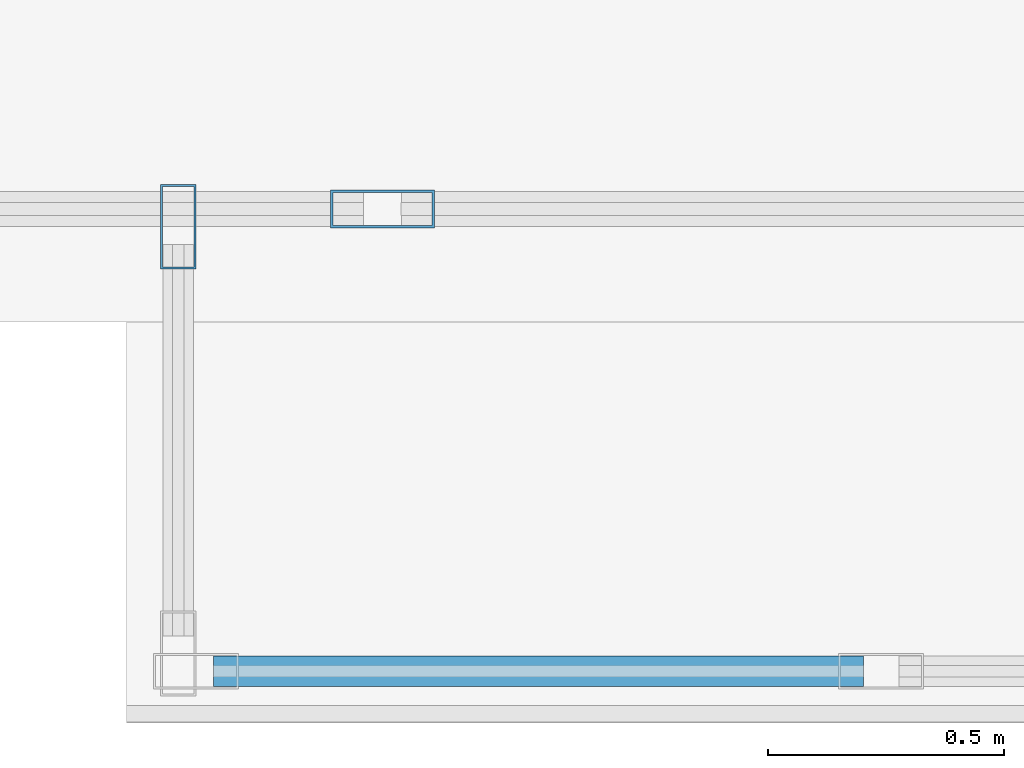
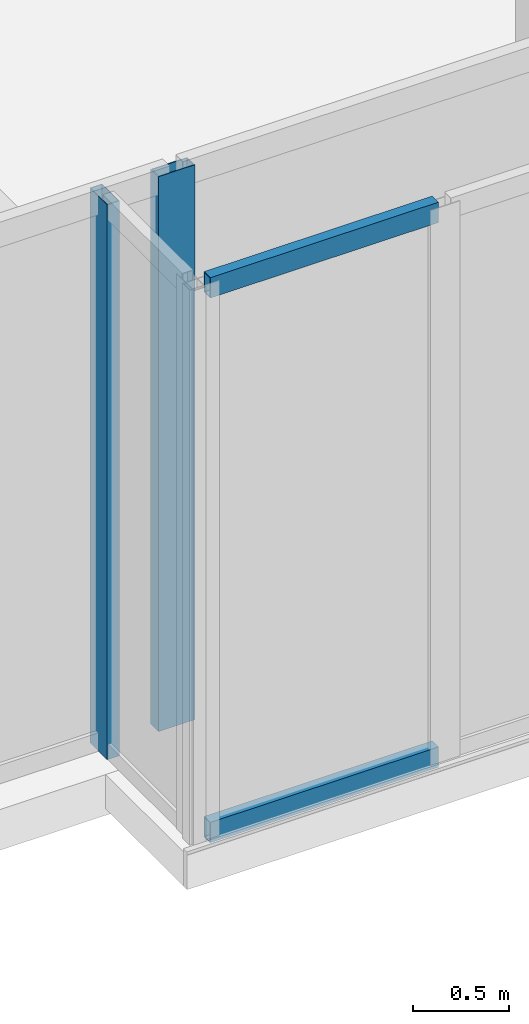
# One storey, part 5 of 28: 4 members, 3 elements without a shape of their own.
"""IFC4 building model written with IfcOpenShell, lengths in metres."""

from ifc_helpers import new_model, si_unit, direction, frame, origin, origin_with_axes, origin_2d, place, context, subcontext, project, spatial, hollow_rectangle, extrude, source, transform, mapped, material, layer, layer_set, material_profile, profile_set, type_object, element, aggregate, save


model = new_model("IFC4")

# Units and contexts
model_context = context("Model", 3, precision=1e-05, world=origin(), true_north=direction((0.0, 1.0)))
body_context = subcontext(model_context, "Body", "Model", "MODEL_VIEW")
ifc_project = project(units=[si_unit("LENGTHUNIT", "METRE"), si_unit("AREAUNIT", "SQUARE_METRE"), si_unit("VOLUMEUNIT", "CUBIC_METRE"), si_unit("PLANEANGLEUNIT", "RADIAN"), si_unit("MASSUNIT", "GRAM", prefix="KILO")], contexts=[model_context])

# Site, building, storey
site_placement = place(None, origin())
site = spatial("IfcSite", under=ifc_project, at=site_placement, CompositionType="ELEMENT")
building_placement = place(site_placement, origin())
building = spatial("IfcBuilding", under=site, at=building_placement, Name="Kolvaren Waterfront Exchange", CompositionType="ELEMENT")
storey_placement = place(building_placement, frame((0.0, 0.0, 114.5)))
storey = spatial("IfcBuildingStorey", under=building, at=storey_placement, Name="L29", CompositionType="ELEMENT", Elevation=114.5)

# Curtain wall, member
ifc_material_1 = material(Name="Anodised bronze aluminium 6063-T6", Category="aluminium")
ifc_layer_1 = layer(ifc_material_1, 0.219970703125, Name="Anodised bronze aluminium 6063-T6")
ifc_layer_set_1 = layer_set([ifc_layer_1], Name="Anodised bronze aluminium 6063-T6")
curtain_wall_type_1 = type_object("IfcCurtainWallType", Name="ARC-CW-SYS3", PredefinedType="USERDEFINED", material=ifc_layer_set_1)
curtain_wall_1_placement = place(storey_placement, origin())
curtain_wall_1 = element("IfcCurtainWall", 1, at=curtain_wall_1_placement, inside=storey, type_object=curtain_wall_type_1, Name="L29 stick curtain wall CW3 (CW-L29-BOX-W)", ObjectType="STICK CURTAIN WALL", PredefinedType="USERDEFINED")
ifc_material_profile_1 = material_profile(ifc_material_1, hollow_rectangle(XDim=0.074951171875, YDim=0.179931640625, WallThickness=0.00439453125, at=origin_2d()), Name="ALU-MUL-180x75x4.5")
ifc_profile_set_1 = profile_set([ifc_material_profile_1], Name="Anodised bronze aluminium 6063-T6")
member_type_1 = type_object("IfcMemberType", Name="ARC-CWM-180", PredefinedType="MULLION", material=ifc_profile_set_1)
shared_shape_1 = source(origin_with_axes(), body_context, "Body", "SweptSolid", [
    extrude(hollow_rectangle(XDim=0.074951171875, YDim=0.179931640625, WallThickness=0.00439453125, at=origin_2d()), origin(), (0.0, 0.0, 1.0), 3.5400390625),
])
member_1_placement = place(storey_placement, frame((32.409912109375, 3.802490234375, 0.0), z_axis=(0.0, 0.0, 1.0), x_axis=(1.0, 0.0, 0.0)))
member_1 = element("IfcMember", 2, at=member_1_placement, type_object=member_type_1, Name="CW3 mullion 1", PredefinedType="MULLION", context=body_context, shape_type="MappedRepresentation", body=[
    mapped(shared_shape_1, transform((0.0, 0.0, 0.0), x_axis=(1.0, 0.0, 0.0), y_axis=(0.0, 1.0, 0.0), z_axis=(0.0, 0.0, 1.0), scale=1.0)),
])
aggregate(curtain_wall_1, [member_1])

# Curtain wall, members
curtain_wall_2_placement = place(storey_placement, origin())
curtain_wall_2 = element("IfcCurtainWall", 3, at=curtain_wall_2_placement, inside=storey, type_object=curtain_wall_type_1, Name="L29 stick curtain wall CW3 (CW-L29-BOX)", ObjectType="STICK CURTAIN WALL", PredefinedType="USERDEFINED")
ifc_material_profile_2 = material_profile(ifc_material_1, hollow_rectangle(XDim=0.06494140625, YDim=0.1298828125, WallThickness=0.00390625, at=origin_2d()), Name="ALU-TRN-130x65x4")
ifc_profile_set_2 = profile_set([ifc_material_profile_2], Name="Anodised bronze aluminium 6063-T6")
member_type_2 = type_object("IfcMemberType", Name="ARC-CWT-130", PredefinedType="USERDEFINED", material=ifc_profile_set_2)
shared_shape_2 = source(origin_with_axes(), body_context, "Body", "SweptSolid", [
    extrude(hollow_rectangle(XDim=0.06494140625, YDim=0.1298828125, WallThickness=0.00390625, at=origin_2d()), origin(), (0.0, 0.0, 1.0), 1.37744140625),
])
member_2_placement = place(storey_placement, frame((32.485107421875, 2.860107421875, 0.032470703125), z_axis=(1.0, 0.0, 0.0), x_axis=(0.0, 1.0, 0.0)))
member_2 = element("IfcMember", 4, at=member_2_placement, type_object=member_type_2, Name="CW3 transom 1.1", ObjectType="TRANSOM", PredefinedType="USERDEFINED", context=body_context, shape_type="MappedRepresentation", body=[
    mapped(shared_shape_2, transform((0.0, 0.0, 0.0), x_axis=(1.0, 0.0, 0.0), y_axis=(0.0, 1.0, 0.0), z_axis=(0.0, 0.0, 1.0), scale=1.0)),
])
member_3_placement = place(storey_placement, frame((32.485107421875, 2.860107421875, 3.507568359375), z_axis=(1.0, 0.0, 0.0), x_axis=(0.0, 1.0, 0.0)))
member_3 = element("IfcMember", 5, at=member_3_placement, type_object=member_type_2, Name="CW3 transom 1.2", ObjectType="TRANSOM", PredefinedType="USERDEFINED", context=body_context, shape_type="MappedRepresentation", body=[
    mapped(shared_shape_2, transform((0.0, 0.0, 0.0), x_axis=(1.0, 0.0, 0.0), y_axis=(0.0, 1.0, 0.0), z_axis=(0.0, 0.0, 1.0), scale=1.0)),
])
aggregate(curtain_wall_2, [member_2, member_3])

# Curtain wall, member
ifc_layer_2 = layer(ifc_material_1, 0.219970703125, Name="Anodised bronze aluminium 6063-T6")
ifc_layer_set_2 = layer_set([ifc_layer_2], Name="Anodised bronze aluminium 6063-T6")
curtain_wall_type_2 = type_object("IfcCurtainWallType", Name="ARC-CW-SYS1", PredefinedType="USERDEFINED", material=ifc_layer_set_2)
curtain_wall_3_placement = place(storey_placement, origin())
curtain_wall_3 = element("IfcCurtainWall", 6, at=curtain_wall_3_placement, inside=storey, type_object=curtain_wall_type_2, Name="L29 stick curtain wall CW1 (CW-L29-S)", ObjectType="STICK CURTAIN WALL", PredefinedType="USERDEFINED")
ifc_material_2 = material(Name="Anodised aluminium 6063-T6", Category="aluminium")
ifc_material_profile_3 = material_profile(ifc_material_2, hollow_rectangle(XDim=0.080078125, YDim=0.219970703125, WallThickness=0.0048828125, at=origin_2d()), Name="ALU-MUL-220x80x5")
ifc_profile_set_3 = profile_set([ifc_material_profile_3], Name="Anodised aluminium 6063-T6")
member_type_3 = type_object("IfcMemberType", Name="ARC-CWM-220", PredefinedType="MULLION", material=ifc_profile_set_3)
shared_shape_3 = source(origin_with_axes(), body_context, "Body", "SweptSolid", [
    extrude(hollow_rectangle(XDim=0.080078125, YDim=0.219970703125, WallThickness=0.0048828125, at=origin_2d()), origin(), (0.0, 0.0, 1.0), 3.5400390625),
])
member_4_placement = place(storey_placement, frame((32.8427734375, 3.840087890625, 0.0), z_axis=(0.0, 0.0, 1.0), x_axis=(0.0, 1.0, 0.0)))
member_4 = element("IfcMember", 7, at=member_4_placement, type_object=member_type_3, Name="CW1 mullion 5", PredefinedType="MULLION", context=body_context, shape_type="MappedRepresentation", body=[
    mapped(shared_shape_3, transform((0.0, 0.0, 0.0), x_axis=(1.0, 0.0, 0.0), y_axis=(0.0, 1.0, 0.0), z_axis=(0.0, 0.0, 1.0), scale=1.0)),
])
aggregate(curtain_wall_3, [member_4])

save(model, "model.ifc")
